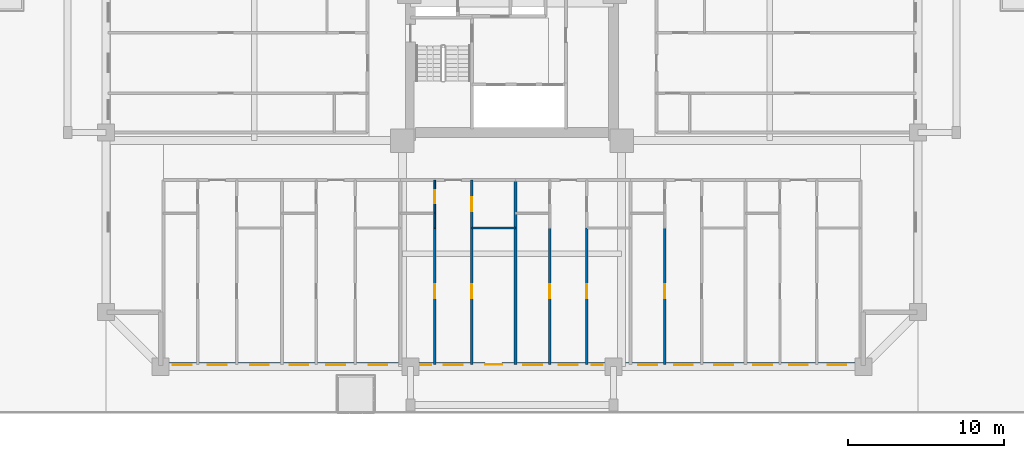
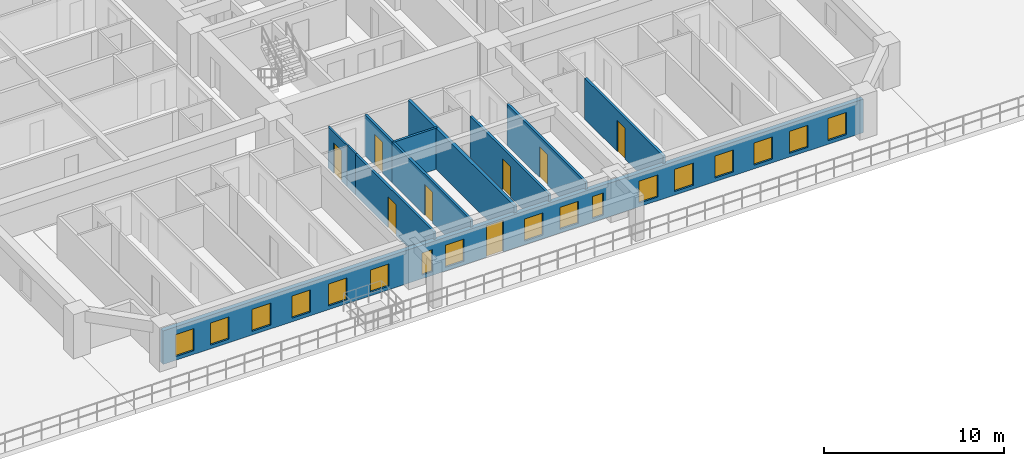
# One storey, part 4 of 19: 17 windows, 11 walls, 8 doors, 25 openings.
"""IFC4 building model written with IfcOpenShell, lengths in metres."""

from ifc_helpers import new_model, si_unit, direction, frame, frame_2d, origin, place, context, subcontext, project, spatial, rectangle, extrude, source, transform, mapped, material, layer, layer_set, type_object, element, fill, save


model = new_model("IFC4")

# Units and contexts
model_context = context("Model", 3, precision=1e-05, world=origin(), true_north=direction((0.0, 1.0)))
body_context = subcontext(model_context, "Body", "Model", "MODEL_VIEW")
ifc_project = project(units=[si_unit("LENGTHUNIT", "METRE"), si_unit("AREAUNIT", "SQUARE_METRE"), si_unit("VOLUMEUNIT", "CUBIC_METRE"), si_unit("PLANEANGLEUNIT", "RADIAN"), si_unit("MASSUNIT", "GRAM", prefix="KILO")], contexts=[model_context])

# Site, building, storey
site_placement = place(None, origin())
site = spatial("IfcSite", under=ifc_project, at=site_placement, CompositionType="ELEMENT")
building_placement = place(site_placement, origin())
building = spatial("IfcBuilding", under=site, at=building_placement, Name="Saelheon Loggia Tower", CompositionType="ELEMENT")
storey_placement = place(building_placement, frame((0.0, 0.0, 19.39990234375)))
storey = spatial("IfcBuildingStorey", under=building, at=storey_placement, Name="L05", CompositionType="ELEMENT", Elevation=19.39990234375)

# Wall, openings, windows, door
ifc_material_1 = material(Name="Architectural Precast Concrete C40/50", Category="concrete")
ifc_layer_1 = layer(ifc_material_1, 0.280029296875)
ifc_layer_set_1 = layer_set([ifc_layer_1], Name="Architectural Precast Concrete C40/50")
wall_type_1 = type_object("IfcWallType", Name="Wall_Ext_Loggia_280", PredefinedType="SOLIDWALL", material=ifc_layer_set_1)
wall_1_placement = place(storey_placement, frame((15.5, 3.139892578125, 0.0), z_axis=(0.0, 0.0, 1.0), x_axis=(1.0, 0.0, 0.0)))
wall_1 = element("IfcWall", 1, at=wall_1_placement, inside=storey, type_object=wall_type_1, Name="L05 South Loggia Inner Wall", PredefinedType="SOLIDWALL", context=body_context, shape_type="SweptSolid", body=[
    extrude(rectangle(XDim=45.0, YDim=0.280029296875, at=frame_2d((22.5, 0.0))), origin(), (0.0, 0.0, 1.0), 2.280029296875),
])
opening_1_placement = place(wall_1_placement, frame((0.784912109375, 0.0, 0.25)))
opening_1 = element("IfcOpeningElement", 2, at=opening_1_placement, cuts=wall_1, Name="Opening WN-03", PredefinedType="OPENING", context=body_context, shape_type="SweptSolid", body=[
    extrude(rectangle(XDim=1.199951171875, YDim=1.5, at=frame_2d((0.60009765625, 0.75))), frame((0.0, 0.152099609375, 0.0), z_axis=(0.0, -1.0, 0.0), x_axis=(1.0, 0.0, 0.0)), (0.0, 0.0, 1.0), 0.303955078125),
])
opening_2_placement = place(wall_1_placement, frame((3.03271484375, 0.0, 0.25)))
opening_2 = element("IfcOpeningElement", 3, at=opening_2_placement, cuts=wall_1, Name="Opening WN-03", PredefinedType="OPENING", context=body_context, shape_type="SweptSolid", body=[
    extrude(rectangle(XDim=1.199951171875, YDim=1.5, at=frame_2d((0.60009765625, 0.75))), frame((0.0, 0.152099609375, 0.0), z_axis=(0.0, -1.0, 0.0), x_axis=(1.0, 0.0, 0.0)), (0.0, 0.0, 1.0), 0.303955078125),
])
opening_3_placement = place(wall_1_placement, frame((5.72705078125, 0.0, 0.25)))
opening_3 = element("IfcOpeningElement", 4, at=opening_3_placement, cuts=wall_1, Name="Opening WN-03", PredefinedType="OPENING", context=body_context, shape_type="SweptSolid", body=[
    extrude(rectangle(XDim=1.199951171875, YDim=1.5, at=frame_2d((0.60009765625, 0.75))), frame((0.0, 0.152099609375, 0.0), z_axis=(0.0, -1.0, 0.0), x_axis=(1.0, 0.0, 0.0)), (0.0, 0.0, 1.0), 0.303955078125),
])
opening_4_placement = place(wall_1_placement, frame((8.268798828125, 0.0, 0.25)))
opening_4 = element("IfcOpeningElement", 5, at=opening_4_placement, cuts=wall_1, Name="Opening WN-03", PredefinedType="OPENING", context=body_context, shape_type="SweptSolid", body=[
    extrude(rectangle(XDim=1.199951171875, YDim=1.5, at=frame_2d((0.60009765625, 0.75))), frame((0.0, 0.152099609375, 0.0), z_axis=(0.0, -1.0, 0.0), x_axis=(1.0, 0.0, 0.0)), (0.0, 0.0, 1.0), 0.303955078125),
])
opening_5_placement = place(wall_1_placement, frame((10.621337890625, 0.0, 0.25)))
opening_5 = element("IfcOpeningElement", 6, at=opening_5_placement, cuts=wall_1, Name="Opening WN-03", PredefinedType="OPENING", context=body_context, shape_type="SweptSolid", body=[
    extrude(rectangle(XDim=1.199951171875, YDim=1.5, at=frame_2d((0.60009765625, 0.75))), frame((0.0, 0.152099609375, 0.0), z_axis=(0.0, -1.0, 0.0), x_axis=(1.0, 0.0, 0.0)), (0.0, 0.0, 1.0), 0.303955078125),
])
opening_6_placement = place(wall_1_placement, frame((13.31591796875, 0.0, 0.25)))
opening_6 = element("IfcOpeningElement", 7, at=opening_6_placement, cuts=wall_1, Name="Opening WN-03", PredefinedType="OPENING", context=body_context, shape_type="SweptSolid", body=[
    extrude(rectangle(XDim=1.199951171875, YDim=1.5, at=frame_2d((0.60009765625, 0.75))), frame((0.0, 0.152099609375, 0.0), z_axis=(0.0, -1.0, 0.0), x_axis=(1.0, 0.0, 0.0)), (0.0, 0.0, 1.0), 0.303955078125),
])
opening_7_placement = place(wall_1_placement, frame((16.623779296875, 0.0, 0.25)))
opening_7 = element("IfcOpeningElement", 8, at=opening_7_placement, cuts=wall_1, Name="Opening WN-06", PredefinedType="OPENING", context=body_context, shape_type="SweptSolid", body=[
    extrude(rectangle(XDim=0.699951171875, YDim=1.5, at=frame_2d((0.35009765625, 0.75))), frame((0.0, 0.152099609375, 0.0), z_axis=(0.0, -1.0, 0.0), x_axis=(1.0, 0.0, 0.0)), (0.0, 0.0, 1.0), 0.303955078125),
])
opening_8_placement = place(wall_1_placement, frame((18.14111328125, 0.0, 0.25)))
opening_8 = element("IfcOpeningElement", 9, at=opening_8_placement, cuts=wall_1, Name="Opening WN-03", PredefinedType="OPENING", context=body_context, shape_type="SweptSolid", body=[
    extrude(rectangle(XDim=1.199951171875, YDim=1.5, at=frame_2d((0.60009765625, 0.75))), frame((0.0, 0.152099609375, 0.0), z_axis=(0.0, -1.0, 0.0), x_axis=(1.0, 0.0, 0.0)), (0.0, 0.0, 1.0), 0.303955078125),
])
opening_9_placement = place(wall_1_placement, frame((21.873779296875, 0.0, 0.0), z_axis=(0.0, 0.0, 1.0), x_axis=(-1.0, 0.0, 0.0)))
opening_9 = element("IfcOpeningElement", 10, at=opening_9_placement, cuts=wall_1, Name="Opening TD1", PredefinedType="OPENING", context=body_context, shape_type="SweptSolid", body=[
    extrude(rectangle(XDim=1.10009765625, YDim=2.14990234375, at=frame_2d((0.550048828125, 1.074951171875))), frame((0.0, 0.152099609375, 0.0), z_axis=(0.0, -1.0, 0.0), x_axis=(1.0, 0.0, 0.0)), (0.0, 0.0, 1.0), 0.303955078125),
])
opening_10_placement = place(wall_1_placement, frame((23.22314453125, 0.0, 0.25)))
opening_10 = element("IfcOpeningElement", 11, at=opening_10_placement, cuts=wall_1, Name="Opening WN-03", PredefinedType="OPENING", context=body_context, shape_type="SweptSolid", body=[
    extrude(rectangle(XDim=1.199951171875, YDim=1.5, at=frame_2d((0.60009765625, 0.75))), frame((0.0, 0.152099609375, 0.0), z_axis=(0.0, -1.0, 0.0), x_axis=(1.0, 0.0, 0.0)), (0.0, 0.0, 1.0), 0.303955078125),
])
opening_11_placement = place(wall_1_placement, frame((25.506591796875, 0.0, 0.25)))
opening_11 = element("IfcOpeningElement", 12, at=opening_11_placement, cuts=wall_1, Name="Opening WN-03", PredefinedType="OPENING", context=body_context, shape_type="SweptSolid", body=[
    extrude(rectangle(XDim=1.199951171875, YDim=1.5, at=frame_2d((0.60009765625, 0.75))), frame((0.0, 0.152099609375, 0.0), z_axis=(0.0, -1.0, 0.0), x_axis=(1.0, 0.0, 0.0)), (0.0, 0.0, 1.0), 0.303955078125),
])
opening_12_placement = place(wall_1_placement, frame((27.599853515625, 0.0, 0.25)))
opening_12 = element("IfcOpeningElement", 13, at=opening_12_placement, cuts=wall_1, Name="Opening WN-06", PredefinedType="OPENING", context=body_context, shape_type="SweptSolid", body=[
    extrude(rectangle(XDim=0.699951171875, YDim=1.5, at=frame_2d((0.35009765625, 0.75))), frame((0.0, 0.152099609375, 0.0), z_axis=(0.0, -1.0, 0.0), x_axis=(1.0, 0.0, 0.0)), (0.0, 0.0, 1.0), 0.303955078125),
])
opening_13_placement = place(wall_1_placement, frame((30.5888671875, 0.0, 0.25)))
opening_13 = element("IfcOpeningElement", 14, at=opening_13_placement, cuts=wall_1, Name="Opening WN-03", PredefinedType="OPENING", context=body_context, shape_type="SweptSolid", body=[
    extrude(rectangle(XDim=1.199951171875, YDim=1.5, at=frame_2d((0.60009765625, 0.75))), frame((0.0, 0.152099609375, 0.0), z_axis=(0.0, -1.0, 0.0), x_axis=(1.0, 0.0, 0.0)), (0.0, 0.0, 1.0), 0.303955078125),
])
opening_14_placement = place(wall_1_placement, frame((32.8720703125, 0.0, 0.25)))
opening_14 = element("IfcOpeningElement", 15, at=opening_14_placement, cuts=wall_1, Name="Opening WN-03", PredefinedType="OPENING", context=body_context, shape_type="SweptSolid", body=[
    extrude(rectangle(XDim=1.199951171875, YDim=1.5, at=frame_2d((0.60009765625, 0.75))), frame((0.0, 0.152099609375, 0.0), z_axis=(0.0, -1.0, 0.0), x_axis=(1.0, 0.0, 0.0)), (0.0, 0.0, 1.0), 0.303955078125),
])
opening_15_placement = place(wall_1_placement, frame((35.455078125, 0.0, 0.25)))
opening_15 = element("IfcOpeningElement", 16, at=opening_15_placement, cuts=wall_1, Name="Opening WN-03", PredefinedType="OPENING", context=body_context, shape_type="SweptSolid", body=[
    extrude(rectangle(XDim=1.199951171875, YDim=1.5, at=frame_2d((0.60009765625, 0.75))), frame((0.0, 0.152099609375, 0.0), z_axis=(0.0, -1.0, 0.0), x_axis=(1.0, 0.0, 0.0)), (0.0, 0.0, 1.0), 0.303955078125),
])
opening_16_placement = place(wall_1_placement, frame((37.954345703125, 0.0, 0.25)))
opening_16 = element("IfcOpeningElement", 17, at=opening_16_placement, cuts=wall_1, Name="Opening WN-03", PredefinedType="OPENING", context=body_context, shape_type="SweptSolid", body=[
    extrude(rectangle(XDim=1.199951171875, YDim=1.5, at=frame_2d((0.60009765625, 0.75))), frame((0.0, 0.152099609375, 0.0), z_axis=(0.0, -1.0, 0.0), x_axis=(1.0, 0.0, 0.0)), (0.0, 0.0, 1.0), 0.303955078125),
])
opening_17_placement = place(wall_1_placement, frame((40.23779296875, 0.0, 0.25)))
opening_17 = element("IfcOpeningElement", 18, at=opening_17_placement, cuts=wall_1, Name="Opening WN-03", PredefinedType="OPENING", context=body_context, shape_type="SweptSolid", body=[
    extrude(rectangle(XDim=1.199951171875, YDim=1.5, at=frame_2d((0.60009765625, 0.75))), frame((0.0, 0.152099609375, 0.0), z_axis=(0.0, -1.0, 0.0), x_axis=(1.0, 0.0, 0.0)), (0.0, 0.0, 1.0), 0.303955078125),
])
opening_18_placement = place(wall_1_placement, frame((42.715576171875, 0.0, 0.25)))
opening_18 = element("IfcOpeningElement", 19, at=opening_18_placement, cuts=wall_1, Name="Opening WN-03", PredefinedType="OPENING", context=body_context, shape_type="SweptSolid", body=[
    extrude(rectangle(XDim=1.199951171875, YDim=1.5, at=frame_2d((0.60009765625, 0.75))), frame((0.0, 0.152099609375, 0.0), z_axis=(0.0, -1.0, 0.0), x_axis=(1.0, 0.0, 0.0)), (0.0, 0.0, 1.0), 0.303955078125),
])
ifc_material_2 = material(Name="Thermal-Break Aluminium and Triple Low-E Glass", Category="aluminium")
window_type_1 = type_object("IfcWindowType", Name="Win_Slot_700x1500", PartitioningType="SINGLE_PANEL", PredefinedType="WINDOW", material=ifc_material_2)
shared_shape_1 = source(origin(), body_context, "Body", "SweptSolid", [
    extrude(rectangle(XDim=0.699951171875, YDim=1.5, at=frame_2d((0.35009765625, 0.75))), frame((0.0, 0.030029296875, 0.0), z_axis=(0.0, -1.0, 0.0), x_axis=(1.0, 0.0, 0.0)), (0.0, 0.0, 1.0), 0.06005859375),
])
window_1_placement = place(opening_7_placement, origin())
window_1 = element("IfcWindow", 20, at=window_1_placement, inside=storey, type_object=window_type_1, Name="L05 S Dwelling Window 7", OverallHeight=1.5, OverallWidth=0.699951171875, PartitioningType="SINGLE_PANEL", PredefinedType="WINDOW", context=body_context, shape_type="MappedRepresentation", body=[
    mapped(shared_shape_1, transform((0.0, 0.0, 0.0), scale=1.0)),
])
fill(opening_7, window_1)
window_2_placement = place(opening_12_placement, origin())
window_2 = element("IfcWindow", 21, at=window_2_placement, inside=storey, type_object=window_type_1, Name="L05 S Dwelling Window 12", OverallHeight=1.5, OverallWidth=0.699951171875, PartitioningType="SINGLE_PANEL", PredefinedType="WINDOW", context=body_context, shape_type="MappedRepresentation", body=[
    mapped(shared_shape_1, transform((0.0, 0.0, 0.0), scale=1.0)),
])
fill(opening_12, window_2)
window_type_2 = type_object("IfcWindowType", Name="Win_Bedroom_1200x1500", PartitioningType="SINGLE_PANEL", PredefinedType="WINDOW", material=ifc_material_2)
shared_shape_2 = source(origin(), body_context, "Body", "SweptSolid", [
    extrude(rectangle(XDim=1.199951171875, YDim=1.5, at=frame_2d((0.60009765625, 0.75))), frame((0.0, 0.030029296875, 0.0), z_axis=(0.0, -1.0, 0.0), x_axis=(1.0, 0.0, 0.0)), (0.0, 0.0, 1.0), 0.06005859375),
])
window_3_placement = place(opening_1_placement, origin())
window_3 = element("IfcWindow", 22, at=window_3_placement, inside=storey, type_object=window_type_2, Name="L05 S Dwelling Window 1", OverallHeight=1.5, OverallWidth=1.199951171875, PartitioningType="SINGLE_PANEL", PredefinedType="WINDOW", context=body_context, shape_type="MappedRepresentation", body=[
    mapped(shared_shape_2, transform((0.0, 0.0, 0.0), scale=1.0)),
])
fill(opening_1, window_3)
window_4_placement = place(opening_2_placement, origin())
window_4 = element("IfcWindow", 23, at=window_4_placement, inside=storey, type_object=window_type_2, Name="L05 S Dwelling Window 2", OverallHeight=1.5, OverallWidth=1.199951171875, PartitioningType="SINGLE_PANEL", PredefinedType="WINDOW", context=body_context, shape_type="MappedRepresentation", body=[
    mapped(shared_shape_2, transform((0.0, 0.0, 0.0), scale=1.0)),
])
fill(opening_2, window_4)
window_5_placement = place(opening_3_placement, origin())
window_5 = element("IfcWindow", 24, at=window_5_placement, inside=storey, type_object=window_type_2, Name="L05 S Dwelling Window 3", OverallHeight=1.5, OverallWidth=1.199951171875, PartitioningType="SINGLE_PANEL", PredefinedType="WINDOW", context=body_context, shape_type="MappedRepresentation", body=[
    mapped(shared_shape_2, transform((0.0, 0.0, 0.0), scale=1.0)),
])
fill(opening_3, window_5)
window_6_placement = place(opening_4_placement, origin())
window_6 = element("IfcWindow", 25, at=window_6_placement, inside=storey, type_object=window_type_2, Name="L05 S Dwelling Window 4", OverallHeight=1.5, OverallWidth=1.199951171875, PartitioningType="SINGLE_PANEL", PredefinedType="WINDOW", context=body_context, shape_type="MappedRepresentation", body=[
    mapped(shared_shape_2, transform((0.0, 0.0, 0.0), scale=1.0)),
])
fill(opening_4, window_6)
window_7_placement = place(opening_5_placement, origin())
window_7 = element("IfcWindow", 26, at=window_7_placement, inside=storey, type_object=window_type_2, Name="L05 S Dwelling Window 5", OverallHeight=1.5, OverallWidth=1.199951171875, PartitioningType="SINGLE_PANEL", PredefinedType="WINDOW", context=body_context, shape_type="MappedRepresentation", body=[
    mapped(shared_shape_2, transform((0.0, 0.0, 0.0), scale=1.0)),
])
fill(opening_5, window_7)
window_8_placement = place(opening_6_placement, origin())
window_8 = element("IfcWindow", 27, at=window_8_placement, inside=storey, type_object=window_type_2, Name="L05 S Dwelling Window 6", OverallHeight=1.5, OverallWidth=1.199951171875, PartitioningType="SINGLE_PANEL", PredefinedType="WINDOW", context=body_context, shape_type="MappedRepresentation", body=[
    mapped(shared_shape_2, transform((0.0, 0.0, 0.0), scale=1.0)),
])
fill(opening_6, window_8)
window_9_placement = place(opening_8_placement, origin())
window_9 = element("IfcWindow", 28, at=window_9_placement, inside=storey, type_object=window_type_2, Name="L05 S Dwelling Window 8", OverallHeight=1.5, OverallWidth=1.199951171875, PartitioningType="SINGLE_PANEL", PredefinedType="WINDOW", context=body_context, shape_type="MappedRepresentation", body=[
    mapped(shared_shape_2, transform((0.0, 0.0, 0.0), scale=1.0)),
])
fill(opening_8, window_9)
window_10_placement = place(opening_10_placement, origin())
window_10 = element("IfcWindow", 29, at=window_10_placement, inside=storey, type_object=window_type_2, Name="L05 S Dwelling Window 10", OverallHeight=1.5, OverallWidth=1.199951171875, PartitioningType="SINGLE_PANEL", PredefinedType="WINDOW", context=body_context, shape_type="MappedRepresentation", body=[
    mapped(shared_shape_2, transform((0.0, 0.0, 0.0), scale=1.0)),
])
fill(opening_10, window_10)
window_11_placement = place(opening_11_placement, origin())
window_11 = element("IfcWindow", 30, at=window_11_placement, inside=storey, type_object=window_type_2, Name="L05 S Dwelling Window 11", OverallHeight=1.5, OverallWidth=1.199951171875, PartitioningType="SINGLE_PANEL", PredefinedType="WINDOW", context=body_context, shape_type="MappedRepresentation", body=[
    mapped(shared_shape_2, transform((0.0, 0.0, 0.0), scale=1.0)),
])
fill(opening_11, window_11)
window_12_placement = place(opening_13_placement, origin())
window_12 = element("IfcWindow", 31, at=window_12_placement, inside=storey, type_object=window_type_2, Name="L05 S Dwelling Window 13", OverallHeight=1.5, OverallWidth=1.199951171875, PartitioningType="SINGLE_PANEL", PredefinedType="WINDOW", context=body_context, shape_type="MappedRepresentation", body=[
    mapped(shared_shape_2, transform((0.0, 0.0, 0.0), scale=1.0)),
])
fill(opening_13, window_12)
window_13_placement = place(opening_14_placement, origin())
window_13 = element("IfcWindow", 32, at=window_13_placement, inside=storey, type_object=window_type_2, Name="L05 S Dwelling Window 14", OverallHeight=1.5, OverallWidth=1.199951171875, PartitioningType="SINGLE_PANEL", PredefinedType="WINDOW", context=body_context, shape_type="MappedRepresentation", body=[
    mapped(shared_shape_2, transform((0.0, 0.0, 0.0), scale=1.0)),
])
fill(opening_14, window_13)
window_14_placement = place(opening_15_placement, origin())
window_14 = element("IfcWindow", 33, at=window_14_placement, inside=storey, type_object=window_type_2, Name="L05 S Dwelling Window 15", OverallHeight=1.5, OverallWidth=1.199951171875, PartitioningType="SINGLE_PANEL", PredefinedType="WINDOW", context=body_context, shape_type="MappedRepresentation", body=[
    mapped(shared_shape_2, transform((0.0, 0.0, 0.0), scale=1.0)),
])
fill(opening_15, window_14)
window_15_placement = place(opening_16_placement, origin())
window_15 = element("IfcWindow", 34, at=window_15_placement, inside=storey, type_object=window_type_2, Name="L05 S Dwelling Window 16", OverallHeight=1.5, OverallWidth=1.199951171875, PartitioningType="SINGLE_PANEL", PredefinedType="WINDOW", context=body_context, shape_type="MappedRepresentation", body=[
    mapped(shared_shape_2, transform((0.0, 0.0, 0.0), scale=1.0)),
])
fill(opening_16, window_15)
window_16_placement = place(opening_17_placement, origin())
window_16 = element("IfcWindow", 35, at=window_16_placement, inside=storey, type_object=window_type_2, Name="L05 S Dwelling Window 17", OverallHeight=1.5, OverallWidth=1.199951171875, PartitioningType="SINGLE_PANEL", PredefinedType="WINDOW", context=body_context, shape_type="MappedRepresentation", body=[
    mapped(shared_shape_2, transform((0.0, 0.0, 0.0), scale=1.0)),
])
fill(opening_17, window_16)
window_17_placement = place(opening_18_placement, origin())
window_17 = element("IfcWindow", 36, at=window_17_placement, inside=storey, type_object=window_type_2, Name="L05 S Dwelling Window 18", OverallHeight=1.5, OverallWidth=1.199951171875, PartitioningType="SINGLE_PANEL", PredefinedType="WINDOW", context=body_context, shape_type="MappedRepresentation", body=[
    mapped(shared_shape_2, transform((0.0, 0.0, 0.0), scale=1.0)),
])
fill(opening_18, window_17)
ifc_material_3 = material(Name="Thermal-Break Aluminium Glazed Door", Category="aluminium")
door_type_1 = type_object("IfcDoorType", Name="Door_Terrace_TD1", OperationType="NOTDEFINED", PredefinedType="DOOR", material=ifc_material_3)
shared_shape_3 = source(origin(), body_context, "Body", "SweptSolid", [
    extrude(rectangle(XDim=1.10009765625, YDim=2.14990234375, at=frame_2d((0.550048828125, 1.074951171875))), frame((0.0, 0.02490234375, 0.0), z_axis=(0.0, -1.0, 0.0), x_axis=(1.0, 0.0, 0.0)), (0.0, 0.0, 1.0), 0.050048828125),
])
door_1_placement = place(opening_9_placement, origin())
door_1 = element("IfcDoor", 37, at=door_1_placement, inside=storey, type_object=door_type_1, Name="L05 S Loggia Access Door", OperationType="SINGLE_SWING_LEFT", OverallHeight=2.14990234375, OverallWidth=1.10009765625, PredefinedType="DOOR", context=body_context, shape_type="MappedRepresentation", body=[
    mapped(shared_shape_3, transform((0.0, 0.0, 0.0), scale=1.0)),
])
fill(opening_9, door_1)

# Wall
ifc_material_4 = material(Name="Lightweight Autoclaved Aerated Concrete Block and Acoustic Gypsum", Category="concrete")
ifc_layer_2 = layer(ifc_material_4, 0.14990234375)
ifc_layer_set_2 = layer_set([ifc_layer_2], Name="Lightweight Autoclaved Aerated Concrete Block and Acoustic Gypsum")
wall_type_2 = type_object("IfcWallType", Name="Wall_Part_150", PredefinedType="PARTITIONING", material=ifc_layer_set_2)
wall_2_placement = place(storey_placement, frame((35.42431640625, 11.8798828125, 0.0), z_axis=(0.0, 0.0, 1.0), x_axis=(1.0, 0.0, 0.0)))
element("IfcWall", 38, at=wall_2_placement, inside=storey, type_object=wall_type_2, Name="L05 S Partition V29", PredefinedType="PARTITIONING", context=body_context, shape_type="SweptSolid", body=[
    extrude(rectangle(XDim=2.798828125, YDim=0.14990234375, at=frame_2d((1.3994140625, 0.0))), origin(), (0.0, 0.0, 1.0), 2.7900390625),
])

# Wall, opening, door
wall_3_placement = place(storey_placement, frame((33.0576171875, 11.8798828125, 0.0), z_axis=(0.0, 0.0, 1.0), x_axis=(0.0, -1.0, 0.0)))
wall_3 = element("IfcWall", 39, at=wall_3_placement, inside=storey, type_object=wall_type_2, Name="L05 S Partition U32", PredefinedType="PARTITIONING", context=body_context, shape_type="SweptSolid", body=[
    extrude(rectangle(XDim=8.72998046875, YDim=0.14990234375, at=frame_2d((4.364990234375, 0.0))), origin(), (0.0, 0.0, 1.0), 2.7900390625),
])
opening_19_placement = place(wall_3_placement, frame((3.608642578125, 0.0, 0.0)))
opening_19 = element("IfcOpeningElement", 40, at=opening_19_placement, cuts=wall_3, Name="Opening D-IN2", PredefinedType="OPENING", context=body_context, shape_type="SweptSolid", body=[
    extrude(rectangle(XDim=0.89990234375, YDim=2.10009765625, at=frame_2d((0.449951171875, 1.050048828125))), frame((0.0, 0.0869140625, 0.0), z_axis=(0.0, -1.0, 0.0), x_axis=(1.0, 0.0, 0.0)), (0.0, 0.0, 1.0), 0.173828125),
])
ifc_material_5 = material(Name="Engineered Oak Flush Door", Category="timber")
door_type_2 = type_object("IfcDoorType", Name="Door_Int_900", OperationType="NOTDEFINED", PredefinedType="DOOR", material=ifc_material_5)
shared_shape_4 = source(origin(), body_context, "Body", "SweptSolid", [
    extrude(rectangle(XDim=0.89990234375, YDim=2.10009765625, at=frame_2d((0.449951171875, 1.050048828125))), frame((0.0, 0.02490234375, 0.0), z_axis=(0.0, -1.0, 0.0), x_axis=(1.0, 0.0, 0.0)), (0.0, 0.0, 1.0), 0.050048828125),
])
door_2_placement = place(opening_19_placement, origin())
door_2 = element("IfcDoor", 41, at=door_2_placement, inside=storey, type_object=door_type_2, Name="Unit U03 Kitchen Door", OperationType="SINGLE_SWING_LEFT", OverallHeight=2.10009765625, OverallWidth=0.89990234375, PredefinedType="DOOR", context=body_context, shape_type="MappedRepresentation", body=[
    mapped(shared_shape_4, transform((0.0, 0.0, 0.0), scale=1.0)),
])
fill(opening_19, door_2)

wall_4_placement = place(storey_placement, frame((35.42431640625, 14.949951171875, 0.0), z_axis=(0.0, 0.0, 1.0), x_axis=(0.0, -1.0, 0.0)))
wall_4 = element("IfcWall", 42, at=wall_4_placement, inside=storey, type_object=wall_type_2, Name="L05 S Partition U33", PredefinedType="PARTITIONING", context=body_context, shape_type="SweptSolid", body=[
    extrude(rectangle(XDim=3.070068359375, YDim=0.14990234375, at=frame_2d((1.53515625, 0.0))), origin(), (0.0, 0.0, 1.0), 2.7900390625),
])
opening_20_placement = place(wall_4_placement, frame((1.0849609375, 0.0, 0.0)))
opening_20 = element("IfcOpeningElement", 43, at=opening_20_placement, cuts=wall_4, Name="Opening D-IN2", PredefinedType="OPENING", context=body_context, shape_type="SweptSolid", body=[
    extrude(rectangle(XDim=0.89990234375, YDim=2.10009765625, at=frame_2d((0.449951171875, 1.050048828125))), frame((0.0, 0.0869140625, 0.0), z_axis=(0.0, -1.0, 0.0), x_axis=(1.0, 0.0, 0.0)), (0.0, 0.0, 1.0), 0.173828125),
])
door_3_placement = place(opening_20_placement, origin())
door_3 = element("IfcDoor", 44, at=door_3_placement, inside=storey, type_object=door_type_2, Name="Unit U03 Dressing Closet Door", OperationType="SINGLE_SWING_RIGHT", OverallHeight=2.10009765625, OverallWidth=0.89990234375, PredefinedType="DOOR", context=body_context, shape_type="MappedRepresentation", body=[
    mapped(shared_shape_4, transform((0.0, 0.0, 0.0), scale=1.0)),
])
fill(opening_20, door_3)

wall_5_placement = place(storey_placement, frame((35.42431640625, 11.8798828125, 0.0), z_axis=(0.0, 0.0, 1.0), x_axis=(0.0, -1.0, 0.0)))
wall_5 = element("IfcWall", 45, at=wall_5_placement, inside=storey, type_object=wall_type_2, Name="L05 S Partition U34", PredefinedType="PARTITIONING", context=body_context, shape_type="SweptSolid", body=[
    extrude(rectangle(XDim=8.72998046875, YDim=0.14990234375, at=frame_2d((4.364990234375, 0.0))), origin(), (0.0, 0.0, 1.0), 2.7900390625),
])
opening_21_placement = place(wall_5_placement, frame((3.608642578125, 0.0, 0.0)))
opening_21 = element("IfcOpeningElement", 46, at=opening_21_placement, cuts=wall_5, Name="Opening D-IN2", PredefinedType="OPENING", context=body_context, shape_type="SweptSolid", body=[
    extrude(rectangle(XDim=0.89990234375, YDim=2.10009765625, at=frame_2d((0.449951171875, 1.050048828125))), frame((0.0, 0.0869140625, 0.0), z_axis=(0.0, -1.0, 0.0), x_axis=(1.0, 0.0, 0.0)), (0.0, 0.0, 1.0), 0.173828125),
])
door_4_placement = place(opening_21_placement, origin())
door_4 = element("IfcDoor", 47, at=door_4_placement, inside=storey, type_object=door_type_2, Name="Unit U03 Bedroom 1 Door", OperationType="SINGLE_SWING_LEFT", OverallHeight=2.10009765625, OverallWidth=0.89990234375, PredefinedType="DOOR", context=body_context, shape_type="MappedRepresentation", body=[
    mapped(shared_shape_4, transform((0.0, 0.0, 0.0), scale=1.0)),
])
fill(opening_21, door_4)

wall_6_placement = place(storey_placement, frame((40.423095703125, 11.8798828125, 0.0), z_axis=(0.0, 0.0, 1.0), x_axis=(0.0, -1.0, 0.0)))
wall_6 = element("IfcWall", 48, at=wall_6_placement, inside=storey, type_object=wall_type_2, Name="L05 S Partition U43", PredefinedType="PARTITIONING", context=body_context, shape_type="SweptSolid", body=[
    extrude(rectangle(XDim=8.72998046875, YDim=0.14990234375, at=frame_2d((4.364990234375, 0.0))), origin(), (0.0, 0.0, 1.0), 2.7900390625),
])
opening_22_placement = place(wall_6_placement, frame((3.608642578125, 0.0, 0.0)))
opening_22 = element("IfcOpeningElement", 49, at=opening_22_placement, cuts=wall_6, Name="Opening D-IN2", PredefinedType="OPENING", context=body_context, shape_type="SweptSolid", body=[
    extrude(rectangle(XDim=0.89990234375, YDim=2.10009765625, at=frame_2d((0.449951171875, 1.050048828125))), frame((0.0, 0.0869140625, 0.0), z_axis=(0.0, -1.0, 0.0), x_axis=(1.0, 0.0, 0.0)), (0.0, 0.0, 1.0), 0.173828125),
])
door_5_placement = place(opening_22_placement, origin())
door_5 = element("IfcDoor", 50, at=door_5_placement, inside=storey, type_object=door_type_2, Name="Unit U04 Kitchen Door", OperationType="SINGLE_SWING_RIGHT", OverallHeight=2.10009765625, OverallWidth=0.89990234375, PredefinedType="DOOR", context=body_context, shape_type="MappedRepresentation", body=[
    mapped(shared_shape_4, transform((0.0, 0.0, 0.0), scale=1.0)),
])
fill(opening_22, door_5)

wall_7_placement = place(storey_placement, frame((42.789794921875, 11.8798828125, 0.0), z_axis=(0.0, 0.0, 1.0), x_axis=(0.0, -1.0, 0.0)))
wall_7 = element("IfcWall", 51, at=wall_7_placement, inside=storey, type_object=wall_type_2, Name="L05 S Partition U45", PredefinedType="PARTITIONING", context=body_context, shape_type="SweptSolid", body=[
    extrude(rectangle(XDim=8.72998046875, YDim=0.14990234375, at=frame_2d((4.364990234375, 0.0))), origin(), (0.0, 0.0, 1.0), 2.7900390625),
])
opening_23_placement = place(wall_7_placement, frame((3.608642578125, 0.0, 0.0)))
opening_23 = element("IfcOpeningElement", 52, at=opening_23_placement, cuts=wall_7, Name="Opening D-IN2", PredefinedType="OPENING", context=body_context, shape_type="SweptSolid", body=[
    extrude(rectangle(XDim=0.89990234375, YDim=2.10009765625, at=frame_2d((0.449951171875, 1.050048828125))), frame((0.0, 0.0869140625, 0.0), z_axis=(0.0, -1.0, 0.0), x_axis=(1.0, 0.0, 0.0)), (0.0, 0.0, 1.0), 0.173828125),
])
door_6_placement = place(opening_23_placement, origin())
door_6 = element("IfcDoor", 53, at=door_6_placement, inside=storey, type_object=door_type_2, Name="Unit U04 Bedroom 1 Door", OperationType="SINGLE_SWING_RIGHT", OverallHeight=2.10009765625, OverallWidth=0.89990234375, PredefinedType="DOOR", context=body_context, shape_type="MappedRepresentation", body=[
    mapped(shared_shape_4, transform((0.0, 0.0, 0.0), scale=1.0)),
])
fill(opening_23, door_6)

wall_8_placement = place(storey_placement, frame((47.788818359375, 11.8798828125, 0.0), z_axis=(0.0, 0.0, 1.0), x_axis=(0.0, -1.0, 0.0)))
wall_8 = element("IfcWall", 54, at=wall_8_placement, inside=storey, type_object=wall_type_2, Name="L05 S Partition U54", PredefinedType="PARTITIONING", context=body_context, shape_type="SweptSolid", body=[
    extrude(rectangle(XDim=8.72998046875, YDim=0.14990234375, at=frame_2d((4.364990234375, 0.0))), origin(), (0.0, 0.0, 1.0), 2.7900390625),
])
opening_24_placement = place(wall_8_placement, frame((3.608642578125, 0.0, 0.0)))
opening_24 = element("IfcOpeningElement", 55, at=opening_24_placement, cuts=wall_8, Name="Opening D-IN2", PredefinedType="OPENING", context=body_context, shape_type="SweptSolid", body=[
    extrude(rectangle(XDim=0.89990234375, YDim=2.10009765625, at=frame_2d((0.449951171875, 1.050048828125))), frame((0.0, 0.0869140625, 0.0), z_axis=(0.0, -1.0, 0.0), x_axis=(1.0, 0.0, 0.0)), (0.0, 0.0, 1.0), 0.173828125),
])
door_7_placement = place(opening_24_placement, origin())
door_7 = element("IfcDoor", 56, at=door_7_placement, inside=storey, type_object=door_type_2, Name="Unit U05 Kitchen Door", OperationType="SINGLE_SWING_LEFT", OverallHeight=2.10009765625, OverallWidth=0.89990234375, PredefinedType="DOOR", context=body_context, shape_type="MappedRepresentation", body=[
    mapped(shared_shape_4, transform((0.0, 0.0, 0.0), scale=1.0)),
])
fill(opening_24, door_7)

# Wall
ifc_material_6 = material(Name="Double Acoustic Stud and Fireboard Partition", Category="gypsum")
ifc_layer_3 = layer(ifc_material_6, 0.199951171875)
ifc_layer_set_3 = layer_set([ifc_layer_3], Name="Double Acoustic Stud and Fireboard Partition")
wall_type_3 = type_object("IfcWallType", Name="Wall_Party_200", PredefinedType="PARTITIONING", material=ifc_layer_set_3)
wall_9_placement = place(storey_placement, frame((38.22314453125, 14.949951171875, 0.0), z_axis=(0.0, 0.0, 1.0), x_axis=(0.0, -1.0, 0.0)))
element("IfcWall", 57, at=wall_9_placement, inside=storey, type_object=wall_type_3, Name="L05 S Partition U35", PredefinedType="PARTITIONING", context=body_context, shape_type="SweptSolid", body=[
    extrude(rectangle(XDim=11.800048828125, YDim=0.199951171875, at=frame_2d((5.89990234375, 0.0))), origin(), (0.0, 0.0, 1.0), 2.7900390625),
])

# Wall, opening, door
ifc_material_7 = material(Name="Moisture-Resistant Cement Board Partition", Category="gypsum")
ifc_layer_4 = layer(ifc_material_7, 0.1201171875)
ifc_layer_set_4 = layer_set([ifc_layer_4], Name="Moisture-Resistant Cement Board Partition")
wall_type_4 = type_object("IfcWallType", Name="Wall_WetPart_120", PredefinedType="PARTITIONING", material=ifc_layer_set_4)
wall_10_placement = place(storey_placement, frame((33.0576171875, 14.949951171875, 0.0), z_axis=(0.0, 0.0, 1.0), x_axis=(0.0, -1.0, 0.0)))
wall_10 = element("IfcWall", 58, at=wall_10_placement, inside=storey, type_object=wall_type_4, Name="L05 S Partition U30", PredefinedType="PARTITIONING", context=body_context, shape_type="SweptSolid", body=[
    extrude(rectangle(XDim=2.119873046875, YDim=0.1201171875, at=frame_2d((1.06005859375, 0.0))), origin(), (0.0, 0.0, 1.0), 2.7900390625),
])
opening_25_placement = place(wall_10_placement, frame((0.635009765625, 0.0, 0.0)))
opening_25 = element("IfcOpeningElement", 59, at=opening_25_placement, cuts=wall_10, Name="Opening D-BT1", PredefinedType="OPENING", context=body_context, shape_type="SweptSolid", body=[
    extrude(rectangle(XDim=0.85009765625, YDim=2.050048828125, at=frame_2d((0.425048828125, 1.02490234375))), frame((0.0, 0.072021484375, 0.0), z_axis=(0.0, -1.0, 0.0), x_axis=(1.0, 0.0, 0.0)), (0.0, 0.0, 1.0), 0.14404296875),
])
ifc_material_8 = material(Name="Moisture-Resistant Laminate Timber Door", Category="wood")
door_type_3 = type_object("IfcDoorType", Name="Door_Bath_850", OperationType="NOTDEFINED", PredefinedType="DOOR", material=ifc_material_8)
shared_shape_5 = source(origin(), body_context, "Body", "SweptSolid", [
    extrude(rectangle(XDim=0.85009765625, YDim=2.050048828125, at=frame_2d((0.425048828125, 1.02490234375))), frame((0.0, 0.02490234375, 0.0), z_axis=(0.0, -1.0, 0.0), x_axis=(1.0, 0.0, 0.0)), (0.0, 0.0, 1.0), 0.050048828125),
])
door_8_placement = place(opening_25_placement, origin())
door_8 = element("IfcDoor", 60, at=door_8_placement, inside=storey, type_object=door_type_3, Name="Unit U03 Bathroom Door", OperationType="SINGLE_SWING_RIGHT", OverallHeight=2.050048828125, OverallWidth=0.85009765625, PredefinedType="DOOR", context=body_context, shape_type="MappedRepresentation", body=[
    mapped(shared_shape_5, transform((0.0, 0.0, 0.0), scale=1.0)),
])
fill(opening_25, door_8)

# Wall
wall_11_placement = place(storey_placement, frame((33.0576171875, 12.830078125, 0.0), z_axis=(0.0, 0.0, 1.0), x_axis=(0.0, -1.0, 0.0)))
element("IfcWall", 61, at=wall_11_placement, inside=storey, type_object=wall_type_4, Name="L05 S Partition U31", PredefinedType="PARTITIONING", context=body_context, shape_type="SweptSolid", body=[
    extrude(rectangle(XDim=0.9501953125, YDim=0.1201171875, at=frame_2d((0.47509765625, 0.0))), origin(), (0.0, 0.0, 1.0), 2.7900390625),
])

save(model, "model.ifc")
